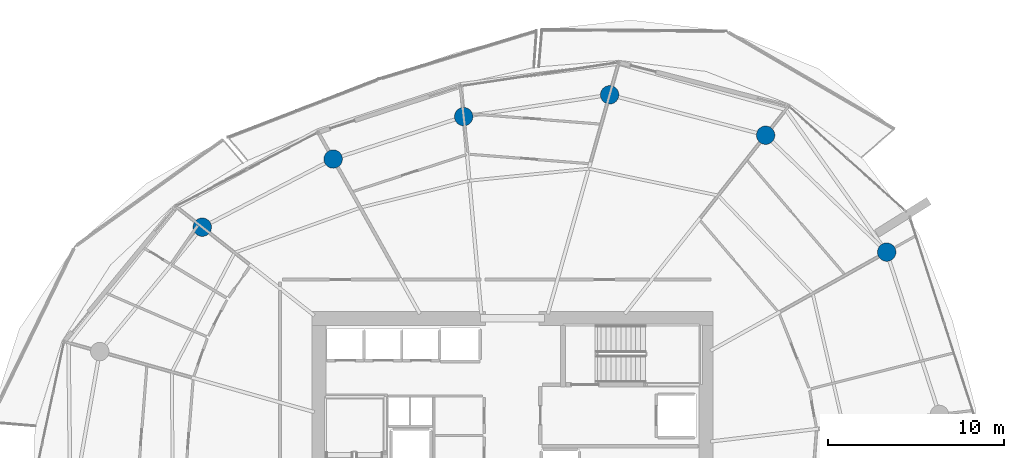
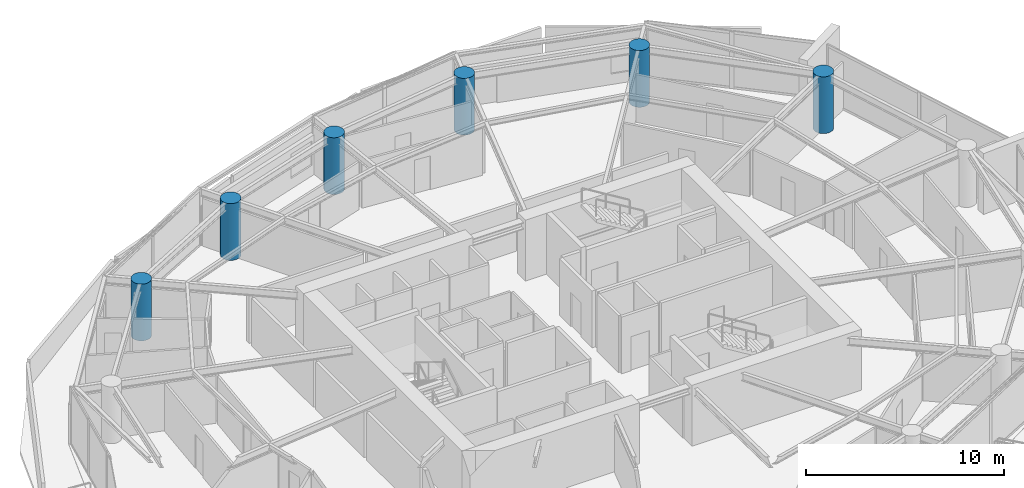
# One storey, part 4 of 20: 6 columns.
"""IFC4 building model written with IfcOpenShell, lengths in metres."""

from ifc_helpers import new_model, si_unit, direction, frame, origin, origin_2d, place, context, subcontext, project, spatial, circle, extrude, material, material_profile, profile_set, type_object, element, save


model = new_model("IFC4")

# Units and contexts
model_context = context("Model", 3, precision=1e-05, world=origin(), true_north=direction((0.0, 1.0)))
body_context = subcontext(model_context, "Body", "Model", "MODEL_VIEW")
ifc_project = project(units=[si_unit("LENGTHUNIT", "METRE"), si_unit("AREAUNIT", "SQUARE_METRE"), si_unit("VOLUMEUNIT", "CUBIC_METRE"), si_unit("PLANEANGLEUNIT", "RADIAN"), si_unit("MASSUNIT", "GRAM", prefix="KILO")], contexts=[model_context])

# Site, building, storey
site_placement = place(None, origin())
site = spatial("IfcSite", under=ifc_project, at=site_placement, CompositionType="ELEMENT")
building_placement = place(site_placement, origin())
building = spatial("IfcBuilding", under=site, at=building_placement, Name="Kazma Halo Residences", CompositionType="ELEMENT")
storey_placement = place(building_placement, frame((0.0, 0.0, 165.300048828125)))
storey = spatial("IfcBuildingStorey", under=building, at=storey_placement, Name="L41", CompositionType="ELEMENT", Elevation=165.300048828125)

# Columns
ifc_material = material(Name="Concrete C80/95", Category="concrete")
ifc_material_profile = material_profile(ifc_material, circle(Radius=0.52490234375, at=origin_2d()), Name="CIRC1050")
ifc_profile_set = profile_set([ifc_material_profile], Name="Concrete C80/95")
column_type = type_object("IfcColumnType", Name="COL-PERIM-1050", PredefinedType="COLUMN", material=ifc_profile_set)
for number, where, z_axis, x_axis, name in (
    (1, (69.730224609375, 54.16943359375, 0.0), (0.0, 0.0, 1.0), (1.0, 0.0, 0.0), "L41 perimeter ring column P01"),
    (2, (62.839599609375, 60.82373046875, 0.0), (0.0, 0.0, 1.0), (1.0, 0.0, 0.0), "L41 perimeter ring column P02"),
    (3, (53.95703125, 63.121826171875, 0.0), (0.0, 0.0, 1.0), (1.0, 0.0, 0.0), "L41 perimeter ring column P03"),
    (4, (45.64697265625, 61.881103515625, 0.0), (0.0, 0.0, 1.0), (1.0, 0.0, 0.0), "L41 perimeter ring column P04"),
    (5, (38.218017578125, 59.46728515625, 0.0), (0.0, 0.0, 1.0), (1.0, 0.0, 0.0), "L41 perimeter ring column P05"),
    (6, (30.765625, 55.58642578125, 0.0), (0.0, 0.0, 1.0), (1.0, 0.0, 0.0), "L41 perimeter ring column P06"),
):
    element("IfcColumn", number, at=place(storey_placement, frame(where, z_axis=z_axis, x_axis=x_axis)), inside=storey, type_object=column_type, Name=name, PredefinedType="COLUMN", context=body_context, shape_type="SweptSolid", body=[
        extrude(circle(Radius=0.52490234375, at=origin_2d()), origin(), (0.0, 0.0, 1.0), 3.5),
    ])

save(model, "model.ifc")
